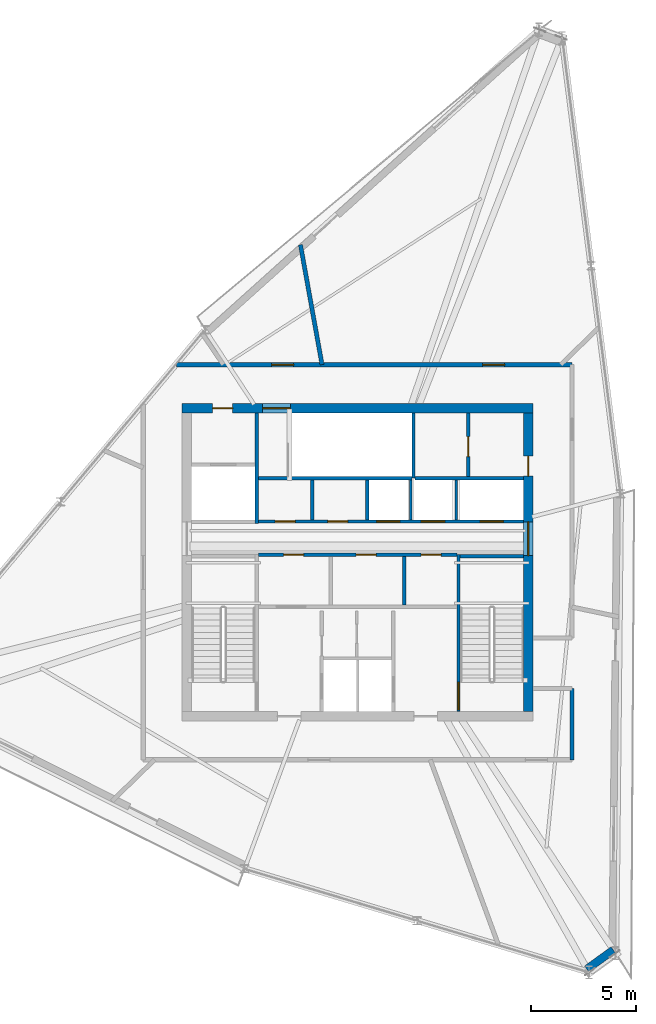
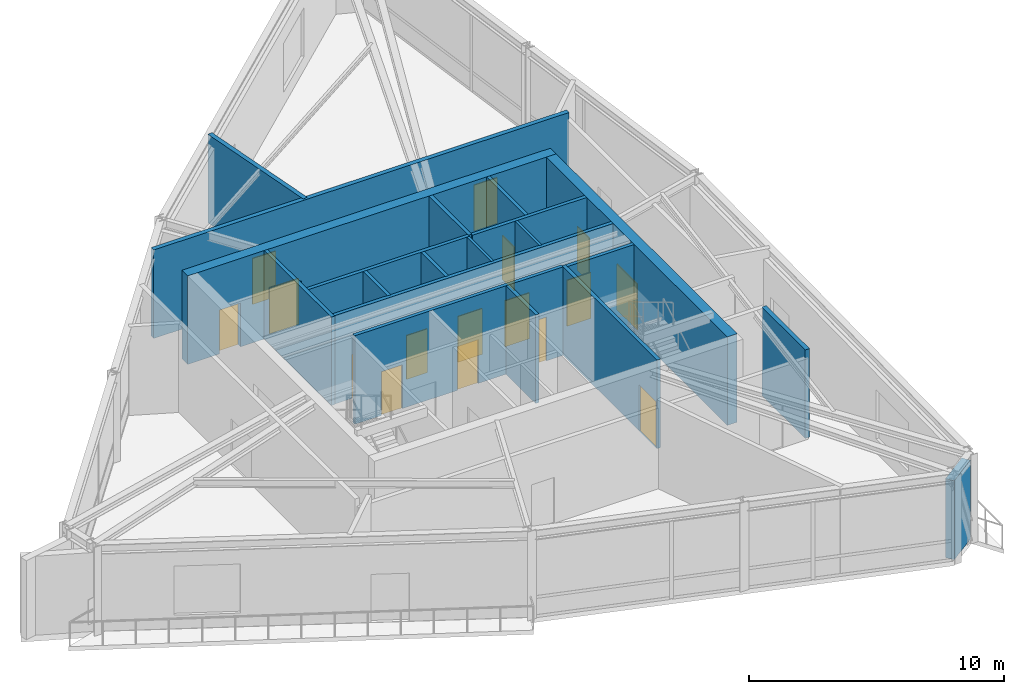
# One storey, part 19 of 23: 20 walls, 16 doors, 16 openings.
"""IFC4 building model written with IfcOpenShell, lengths in metres."""

from ifc_helpers import new_model, si_unit, direction, frame, frame_2d, origin, place, context, subcontext, project, spatial, rectangle, extrude, source, transform, mapped, material, layer, layer_set, type_object, type_shapes, element, fill, save


model = new_model("IFC4")

# Units and contexts
model_context = context("Model", 3, precision=1e-05, world=origin(), true_north=direction((0.0, 1.0)))
body_context = subcontext(model_context, "Body", "Model", "MODEL_VIEW")
ifc_project = project(units=[si_unit("LENGTHUNIT", "METRE"), si_unit("AREAUNIT", "SQUARE_METRE"), si_unit("VOLUMEUNIT", "CUBIC_METRE"), si_unit("PLANEANGLEUNIT", "RADIAN"), si_unit("MASSUNIT", "GRAM", prefix="KILO")], contexts=[model_context])

# Site, building, storey
site_placement = place(None, origin())
site = spatial("IfcSite", under=ifc_project, at=site_placement, CompositionType="ELEMENT")
building_placement = place(site_placement, origin())
building = spatial("IfcBuilding", under=site, at=building_placement, Name="Olszyna Solenne Hotel", CompositionType="ELEMENT")
storey_placement = place(building_placement, frame((0.0, 0.0, 290.5)))
storey = spatial("IfcBuildingStorey", under=building, at=storey_placement, Name="L77", CompositionType="ELEMENT", Elevation=290.5)

# Wall, openings, doors
ifc_material_1 = material(Name="Concrete C50/60", Category="concrete")
ifc_layer_1 = layer(ifc_material_1, 0.449951171875, Name="Concrete C50/60")
ifc_layer_set_1 = layer_set([ifc_layer_1], Name="Concrete C50/60")
wall_type_1 = type_object("IfcWallType", Name="WL-CR450", PredefinedType="SHEAR", material=ifc_layer_set_1)
wall_1_placement = place(storey_placement, frame((29.64990234375, 33.925048828125, 0.0), z_axis=(0.0, 0.0, 1.0), x_axis=(1.0, 0.0, 0.0)))
wall_1 = element("IfcWall", 1, at=wall_1_placement, inside=storey, type_object=wall_type_1, Name="Core shear wall WL-CR450 CRW-L77-N", PredefinedType="SHEAR", context=body_context, shape_type="SweptSolid", body=[
    extrude(rectangle(XDim=16.7001953125, YDim=0.449951171875, at=frame_2d((8.35009765625, 0.0))), origin(), (0.0, 0.0, 1.0), 4.239990234375),
])
opening_1_placement = place(wall_1_placement, frame((1.449951171875, 0.0, 0.0)))
opening_1 = element("IfcOpeningElement", 2, at=opening_1_placement, cuts=wall_1, Name="Opening SVD-L77-01", PredefinedType="OPENING", context=body_context, shape_type="SweptSolid", body=[
    extrude(rectangle(XDim=0.949951171875, YDim=2.10009765625, at=frame_2d((0.47509765625, 1.050048828125))), frame((0.0, 0.23486328125, 0.0), z_axis=(0.0, -1.0, 0.0), x_axis=(1.0, 0.0, 0.0)), (0.0, 0.0, 1.0), 0.469970703125),
])
opening_2_placement = place(wall_1_placement, frame((3.830078125, 0.0, 0.0)))
opening_2 = element("IfcOpeningElement", 3, at=opening_2_placement, cuts=wall_1, Name="Opening STD-L77-03", PredefinedType="OPENING", context=body_context, shape_type="SweptSolid", body=[
    extrude(rectangle(XDim=1.320068359375, YDim=2.199951171875, at=frame_2d((0.66015625, 1.10009765625))), frame((0.0, 0.23486328125, 0.0), z_axis=(0.0, -1.0, 0.0), x_axis=(1.0, 0.0, 0.0)), (0.0, 0.0, 1.0), 0.469970703125),
])
ifc_material_2 = material(Name="Steel S355J2", Category="steel")
door_type_1 = type_object("IfcDoorType", Name="DR-ST1", OperationType="NOTDEFINED", PredefinedType="DOOR", material=ifc_material_2)
shared_shape_1 = source(origin(), body_context, "Body", "SweptSolid", [
    extrude(rectangle(XDim=1.320068359375, YDim=2.199951171875, at=frame_2d((0.66015625, 1.10009765625))), frame((0.0, 0.02490234375, 0.0), z_axis=(0.0, -1.0, 0.0), x_axis=(1.0, 0.0, 0.0)), (0.0, 0.0, 1.0), 0.050048828125),
])
type_shapes(door_type_1, [shared_shape_1])
door_1_placement = place(opening_2_placement, origin())
door_1 = element("IfcDoor", 4, at=door_1_placement, inside=storey, type_object=door_type_1, Name="Pressurised exit stair ST3 fire door STD-L77-03", OperationType="SINGLE_SWING_RIGHT", OverallHeight=2.199951171875, OverallWidth=1.320068359375, PredefinedType="DOOR", context=body_context, shape_type="MappedRepresentation", body=[
    mapped(shared_shape_1, transform((0.0, 0.0, 0.0), x_axis=(1.0, 0.0, 0.0), y_axis=(0.0, 1.0, 0.0), z_axis=(0.0, 0.0, 1.0), scale=1.0)),
])
fill(opening_2, door_1)
door_type_2 = type_object("IfcDoorType", Name="DR-SV1", OperationType="NOTDEFINED", PredefinedType="DOOR", material=ifc_material_2)
shared_shape_2 = source(origin(), body_context, "Body", "SweptSolid", [
    extrude(rectangle(XDim=0.949951171875, YDim=2.10009765625, at=frame_2d((0.47509765625, 1.050048828125))), frame((0.0, 0.02490234375, 0.0), z_axis=(0.0, -1.0, 0.0), x_axis=(1.0, 0.0, 0.0)), (0.0, 0.0, 1.0), 0.050048828125),
])
type_shapes(door_type_2, [shared_shape_2])
door_2_placement = place(opening_1_placement, origin())
door_2 = element("IfcDoor", 5, at=door_2_placement, inside=storey, type_object=door_type_2, Name="Service lift lobby fire door SVD-L77-01", OperationType="SINGLE_SWING_LEFT", OverallHeight=2.10009765625, OverallWidth=0.949951171875, PredefinedType="DOOR", context=body_context, shape_type="MappedRepresentation", body=[
    mapped(shared_shape_2, transform((0.0, 0.0, 0.0), x_axis=(1.0, 0.0, 0.0), y_axis=(0.0, 1.0, 0.0), z_axis=(0.0, 0.0, 1.0), scale=1.0)),
])
fill(opening_1, door_2)

wall_2_placement = place(storey_placement, frame((46.125, 33.699951171875, 0.0), z_axis=(0.0, 0.0, 1.0), x_axis=(0.0, -1.0, 0.0)))
wall_2 = element("IfcWall", 6, at=wall_2_placement, inside=storey, type_object=wall_type_1, Name="Core shear wall WL-CR450 CRW-L77-E", PredefinedType="SHEAR", context=body_context, shape_type="SweptSolid", body=[
    extrude(rectangle(XDim=14.199951171875, YDim=0.449951171875, at=frame_2d((7.10009765625, 0.0))), origin(), (0.0, 0.0, 1.0), 4.239990234375),
])
opening_3_placement = place(wall_2_placement, frame((5.179931640625, 0.0, 0.0)))
opening_3 = element("IfcOpeningElement", 7, at=opening_3_placement, cuts=wall_2, Name="Opening LHD-L77-E", PredefinedType="OPENING", context=body_context, shape_type="SweptSolid", body=[
    extrude(rectangle(XDim=1.60009765625, YDim=2.199951171875, at=frame_2d((0.800048828125, 1.10009765625))), frame((0.0, 0.23486328125, 0.0), z_axis=(0.0, -1.0, 0.0), x_axis=(1.0, 0.0, 0.0)), (0.0, 0.0, 1.0), 0.469970703125),
])
opening_4_placement = place(wall_2_placement, frame((2.050048828125, 0.0, 0.0)))
opening_4 = element("IfcOpeningElement", 8, at=opening_4_placement, cuts=wall_2, Name="Opening SVD-L77-BE", PredefinedType="OPENING", context=body_context, shape_type="SweptSolid", body=[
    extrude(rectangle(XDim=0.949951171875, YDim=2.10009765625, at=frame_2d((0.47509765625, 1.050048828125))), frame((0.0, 0.23486328125, 0.0), z_axis=(0.0, -1.0, 0.0), x_axis=(1.0, 0.0, 0.0)), (0.0, 0.0, 1.0), 0.469970703125),
])
door_3_placement = place(opening_4_placement, origin())
door_3 = element("IfcDoor", 9, at=door_3_placement, inside=storey, type_object=door_type_2, Name="Housekeeping core fire door SVD-L77-BE", OperationType="SINGLE_SWING_RIGHT", OverallHeight=2.10009765625, OverallWidth=0.949951171875, PredefinedType="DOOR", context=body_context, shape_type="MappedRepresentation", body=[
    mapped(shared_shape_2, transform((0.0, 0.0, 0.0), x_axis=(1.0, 0.0, 0.0), y_axis=(0.0, 1.0, 0.0), z_axis=(0.0, 0.0, 1.0), scale=1.0)),
])
fill(opening_4, door_3)
ifc_material_3 = material(Name="Timber hardwood", Category="wood")
door_type_3 = type_object("IfcDoorType", Name="DR-CR1", OperationType="DOUBLE_DOOR_SINGLE_SWING", PredefinedType="DOOR", material=ifc_material_3)
shared_shape_3 = source(origin(), body_context, "Body", "SweptSolid", [
    extrude(rectangle(XDim=1.60009765625, YDim=2.199951171875, at=frame_2d((0.800048828125, 1.10009765625))), frame((0.0, 0.02490234375, 0.0), z_axis=(0.0, -1.0, 0.0), x_axis=(1.0, 0.0, 0.0)), (0.0, 0.0, 1.0), 0.050048828125),
])
type_shapes(door_type_3, [shared_shape_3])
door_4_placement = place(opening_3_placement, origin())
door_4 = element("IfcDoor", 10, at=door_4_placement, inside=storey, type_object=door_type_3, Name="Passenger lift lobby East fire door LHD-L77-E", OperationType="DOUBLE_DOOR_SINGLE_SWING", OverallHeight=2.199951171875, OverallWidth=1.60009765625, PredefinedType="DOOR", context=body_context, shape_type="MappedRepresentation", body=[
    mapped(shared_shape_3, transform((0.0, 0.0, 0.0), x_axis=(1.0, 0.0, 0.0), y_axis=(0.0, 1.0, 0.0), z_axis=(0.0, 0.0, 1.0), scale=1.0)),
])
fill(opening_3, door_4)

# Walls
ifc_material_4 = material(Name="Terracotta cladding on precast concrete C45/55", Category="masonry")
ifc_layer_2 = layer(ifc_material_4, 0.3798828125, Name="Terracotta cladding on precast concrete C45/55")
ifc_layer_set_2 = layer_set([ifc_layer_2], Name="Terracotta cladding on precast concrete C45/55")
wall_type_2 = type_object("IfcWallType", Name="WL-EX380", PredefinedType="SOLIDWALL", material=ifc_layer_set_2)
wall_3_placement = place(storey_placement, frame((50.167724609375, 8.151123046875, 0.0), z_axis=(0.0, 0.0, 1.0), x_axis=(-0.811063846967, -0.584957636195, 0.0)))
element("IfcWall", 11, at=wall_3_placement, inside=storey, type_object=wall_type_2, Name="Exterior terracotta-precast frame wall WL-EX380 EW-L77-02", PredefinedType="SOLIDWALL", context=body_context, shape_type="SweptSolid", body=[
    extrude(rectangle(XDim=1.555908203125, YDim=0.3798828125, at=frame_2d((0.77783203125, 0.0))), origin(), (0.0, 0.0, 1.0), 3.781982421875),
])
ifc_material_5 = material(Name="Acoustic gypsum partition", Category="gypsum")
ifc_layer_3 = layer(ifc_material_5, 0.125, Name="Acoustic gypsum partition")
ifc_layer_set_3 = layer_set([ifc_layer_3], Name="Acoustic gypsum partition")
wall_type_3 = type_object("IfcWallType", Name="WL-PT125", PredefinedType="PARTITIONING", material=ifc_layer_set_3)
for number, where, z_axis, x_axis, name in (
    (12, (40.52490234375, 28.60009765625, 0.0), (0.0, 0.0, 1.0), (0.0, 1.0, 0.0), "Core shaft compartment wall CW-L77-DIVEX405"),
    (13, (42.699951171875, 28.60009765625, 0.0), (0.0, 0.0, 1.0), (0.0, 1.0, 0.0), "Core shaft compartment wall CW-L77-DIVEX427"),
):
    element("IfcWall", number, at=place(storey_placement, frame(where, z_axis=z_axis, x_axis=x_axis)), inside=storey, type_object=wall_type_3, Name=name, PredefinedType="PARTITIONING", context=body_context, shape_type="SweptSolid", body=[
        extrude(rectangle(XDim=1.919921875, YDim=0.125, at=frame_2d((0.9599609375, 0.0))), origin(), (0.0, 0.0, 1.0), 4.239990234375),
    ])

# Wall, opening, door
ifc_layer_4 = layer(ifc_material_5, 0.159912109375, Name="Acoustic gypsum partition")
ifc_layer_set_4 = layer_set([ifc_layer_4], Name="Acoustic gypsum partition")
wall_type_4 = type_object("IfcWallType", Name="WL-PT160", PredefinedType="PARTITIONING", material=ifc_layer_set_4)
wall_4_placement = place(storey_placement, frame((42.800048828125, 26.9599609375, 0.0), z_axis=(0.0, 0.0, 1.0), x_axis=(0.0, -1.0, 0.0)))
wall_4 = element("IfcWall", 14, at=wall_4_placement, inside=storey, type_object=wall_type_4, Name="Core shaft compartment wall CW-L77-ST2W", PredefinedType="PARTITIONING", context=body_context, shape_type="SweptSolid", body=[
    extrude(rectangle(XDim=7.4599609375, YDim=0.159912109375, at=frame_2d((3.72998046875, 0.0))), origin(), (0.0, 0.0, 1.0), 4.239990234375),
])
opening_5_placement = place(wall_4_placement, frame((6.06005859375, 0.0, 0.0)))
opening_5 = element("IfcOpeningElement", 15, at=opening_5_placement, cuts=wall_4, Name="Opening STD-L77-02", PredefinedType="OPENING", context=body_context, shape_type="SweptSolid", body=[
    extrude(rectangle(XDim=1.320068359375, YDim=2.199951171875, at=frame_2d((0.66015625, 1.10009765625))), frame((0.0, 0.08984375, 0.0), z_axis=(0.0, -1.0, 0.0), x_axis=(1.0, 0.0, 0.0)), (0.0, 0.0, 1.0), 0.179931640625),
])
door_5_placement = place(opening_5_placement, origin())
door_5 = element("IfcDoor", 16, at=door_5_placement, inside=storey, type_object=door_type_1, Name="Pressurised exit stair ST2 fire door STD-L77-02", OperationType="SINGLE_SWING_RIGHT", OverallHeight=2.199951171875, OverallWidth=1.320068359375, PredefinedType="DOOR", context=body_context, shape_type="MappedRepresentation", body=[
    mapped(shared_shape_1, transform((0.0, 0.0, 0.0), x_axis=(1.0, 0.0, 0.0), y_axis=(0.0, 1.0, 0.0), z_axis=(0.0, 0.0, 1.0), scale=1.0)),
])
fill(opening_5, door_5)

# Walls
wall_5_placement = place(storey_placement, frame((42.8798828125, 26.8798828125, 0.0), z_axis=(0.0, 0.0, 1.0), x_axis=(1.0, 0.0, 0.0)))
element("IfcWall", 17, at=wall_5_placement, inside=storey, type_object=wall_type_4, Name="Core shaft compartment wall CW-L77-ST2N", PredefinedType="PARTITIONING", context=body_context, shape_type="SweptSolid", body=[
    extrude(rectangle(XDim=3.02001953125, YDim=0.159912109375, at=frame_2d((1.510009765625, 0.0))), origin(), (0.0, 0.0, 1.0), 4.239990234375),
])
wall_6_placement = place(storey_placement, frame((33.280029296875, 30.60009765625, 0.0), z_axis=(0.0, 0.0, 1.0), x_axis=(1.0, 0.0, 0.0)))
element("IfcWall", 18, at=wall_6_placement, inside=storey, type_object=wall_type_4, Name="Core shaft compartment wall CW-L77-ST3S", PredefinedType="PARTITIONING", context=body_context, shape_type="SweptSolid", body=[
    extrude(rectangle(XDim=7.300048828125, YDim=0.159912109375, at=frame_2d((3.64990234375, 0.0))), origin(), (0.0, 0.0, 1.0), 4.239990234375),
])
wall_7_placement = place(storey_placement, frame((40.659912109375, 30.60009765625, 0.0), z_axis=(0.0, 0.0, 1.0), x_axis=(0.0, 1.0, 0.0)))
element("IfcWall", 19, at=wall_7_placement, inside=storey, type_object=wall_type_4, Name="Core shaft compartment wall CW-L77-ST3E", PredefinedType="PARTITIONING", context=body_context, shape_type="SweptSolid", body=[
    extrude(rectangle(XDim=3.099853515625, YDim=0.159912109375, at=frame_2d((1.5498046875, 0.0))), origin(), (0.0, 0.0, 1.0), 4.239990234375),
])
wall_8_placement = place(storey_placement, frame((33.199951171875, 28.43994140625, 0.0), z_axis=(0.0, 0.0, 1.0), x_axis=(0.0, 1.0, 0.0)))
element("IfcWall", 20, at=wall_8_placement, inside=storey, type_object=wall_type_4, Name="Core shaft compartment wall CW-L77-SV1E", PredefinedType="PARTITIONING", context=body_context, shape_type="SweptSolid", body=[
    extrude(rectangle(XDim=5.260009765625, YDim=0.159912109375, at=frame_2d((2.6298828125, 0.0))), origin(), (0.0, 0.0, 1.0), 4.239990234375),
])

# Wall, openings, doors
wall_9_placement = place(storey_placement, frame((33.280029296875, 26.949951171875, 0.0), z_axis=(0.0, 0.0, 1.0), x_axis=(1.0, 0.0, 0.0)))
wall_9 = element("IfcWall", 21, at=wall_9_placement, inside=storey, type_object=wall_type_4, Name="Core shaft compartment wall CW-L77-LRS", PredefinedType="PARTITIONING", context=body_context, shape_type="SweptSolid", body=[
    extrude(rectangle(XDim=9.43994140625, YDim=0.159912109375, at=frame_2d((4.719970703125, 0.0))), origin(), (0.0, 0.0, 1.0), 4.239990234375),
])
opening_6_placement = place(wall_9_placement, frame((1.199951171875, 0.0, 0.0)))
opening_6 = element("IfcOpeningElement", 22, at=opening_6_placement, cuts=wall_9, Name="Opening SVD-L77-L71", PredefinedType="OPENING", context=body_context, shape_type="SweptSolid", body=[
    extrude(rectangle(XDim=0.949951171875, YDim=2.10009765625, at=frame_2d((0.47509765625, 1.050048828125))), frame((0.0, 0.08984375, 0.0), z_axis=(0.0, -1.0, 0.0), x_axis=(1.0, 0.0, 0.0)), (0.0, 0.0, 1.0), 0.179931640625),
])
opening_7_placement = place(wall_9_placement, frame((4.64990234375, 0.0, 0.0)))
opening_7 = element("IfcOpeningElement", 23, at=opening_7_placement, cuts=wall_9, Name="Opening SVD-L77-L72", PredefinedType="OPENING", context=body_context, shape_type="SweptSolid", body=[
    extrude(rectangle(XDim=0.949951171875, YDim=2.10009765625, at=frame_2d((0.47509765625, 1.050048828125))), frame((0.0, 0.08984375, 0.0), z_axis=(0.0, -1.0, 0.0), x_axis=(1.0, 0.0, 0.0)), (0.0, 0.0, 1.0), 0.179931640625),
])
opening_8_placement = place(wall_9_placement, frame((7.7451171875, 0.0, 0.0)))
opening_8 = element("IfcOpeningElement", 24, at=opening_8_placement, cuts=wall_9, Name="Opening SVD-L77-L73", PredefinedType="OPENING", context=body_context, shape_type="SweptSolid", body=[
    extrude(rectangle(XDim=0.949951171875, YDim=2.10009765625, at=frame_2d((0.47509765625, 1.050048828125))), frame((0.0, 0.08984375, 0.0), z_axis=(0.0, -1.0, 0.0), x_axis=(1.0, 0.0, 0.0)), (0.0, 0.0, 1.0), 0.179931640625),
])
door_6_placement = place(opening_6_placement, origin())
door_6 = element("IfcDoor", 25, at=door_6_placement, inside=storey, type_object=door_type_2, Name="Recaptured core room fire door SVD-L77-L71", OperationType="SINGLE_SWING_LEFT", OverallHeight=2.10009765625, OverallWidth=0.949951171875, PredefinedType="DOOR", context=body_context, shape_type="MappedRepresentation", body=[
    mapped(shared_shape_2, transform((0.0, 0.0, 0.0), x_axis=(1.0, 0.0, 0.0), y_axis=(0.0, 1.0, 0.0), z_axis=(0.0, 0.0, 1.0), scale=1.0)),
])
fill(opening_6, door_6)
door_7_placement = place(opening_7_placement, origin())
door_7 = element("IfcDoor", 26, at=door_7_placement, inside=storey, type_object=door_type_2, Name="Recaptured core room fire door SVD-L77-L72", OperationType="SINGLE_SWING_RIGHT", OverallHeight=2.10009765625, OverallWidth=0.949951171875, PredefinedType="DOOR", context=body_context, shape_type="MappedRepresentation", body=[
    mapped(shared_shape_2, transform((0.0, 0.0, 0.0), x_axis=(1.0, 0.0, 0.0), y_axis=(0.0, 1.0, 0.0), z_axis=(0.0, 0.0, 1.0), scale=1.0)),
])
fill(opening_7, door_7)
door_8_placement = place(opening_8_placement, origin())
door_8 = element("IfcDoor", 27, at=door_8_placement, inside=storey, type_object=door_type_2, Name="Observation AV room fire door SVD-L77-L73", OperationType="SINGLE_SWING_RIGHT", OverallHeight=2.10009765625, OverallWidth=0.949951171875, PredefinedType="DOOR", context=body_context, shape_type="MappedRepresentation", body=[
    mapped(shared_shape_2, transform((0.0, 0.0, 0.0), x_axis=(1.0, 0.0, 0.0), y_axis=(0.0, 1.0, 0.0), z_axis=(0.0, 0.0, 1.0), scale=1.0)),
])
fill(opening_8, door_8)

# Wall
wall_10_placement = place(storey_placement, frame((40.215087890625, 24.56005859375, 0.0), z_axis=(0.0, 0.0, 1.0), x_axis=(0.0, 1.0, 0.0)))
element("IfcWall", 28, at=wall_10_placement, inside=storey, type_object=wall_type_4, Name="Core shaft compartment wall CW-L77-LV7DIV2", PredefinedType="PARTITIONING", context=body_context, shape_type="SweptSolid", body=[
    extrude(rectangle(XDim=2.31005859375, YDim=0.159912109375, at=frame_2d((1.155029296875, 0.0))), origin(), (0.0, 0.0, 1.0), 4.239990234375),
])

# Wall, openings, doors
wall_11_placement = place(storey_placement, frame((33.280029296875, 28.5400390625, 0.0), z_axis=(0.0, 0.0, 1.0), x_axis=(1.0, 0.0, 0.0)))
wall_11 = element("IfcWall", 29, at=wall_11_placement, inside=storey, type_object=wall_type_4, Name="Core shaft compartment wall CW-L77-LRN", PredefinedType="PARTITIONING", context=body_context, shape_type="SweptSolid", body=[
    extrude(rectangle(XDim=12.619873046875, YDim=0.159912109375, at=frame_2d((6.31005859375, 0.0))), origin(), (0.0, 0.0, 1.0), 4.239990234375),
])
opening_9_placement = place(wall_11_placement, frame((0.800048828125, 0.0, 0.0)))
opening_9 = element("IfcOpeningElement", 30, at=opening_9_placement, cuts=wall_11, Name="Opening SVD-L77-L74", PredefinedType="OPENING", context=body_context, shape_type="SweptSolid", body=[
    extrude(rectangle(XDim=0.949951171875, YDim=2.10009765625, at=frame_2d((0.47509765625, 1.050048828125))), frame((0.0, 0.08984375, 0.0), z_axis=(0.0, -1.0, 0.0), x_axis=(1.0, 0.0, 0.0)), (0.0, 0.0, 1.0), 0.179931640625),
])
opening_10_placement = place(wall_11_placement, frame((3.300048828125, 0.0, 0.0)))
opening_10 = element("IfcOpeningElement", 31, at=opening_10_placement, cuts=wall_11, Name="Opening SVD-L77-L75", PredefinedType="OPENING", context=body_context, shape_type="SweptSolid", body=[
    extrude(rectangle(XDim=0.949951171875, YDim=2.10009765625, at=frame_2d((0.47509765625, 1.050048828125))), frame((0.0, 0.08984375, 0.0), z_axis=(0.0, -1.0, 0.0), x_axis=(1.0, 0.0, 0.0)), (0.0, 0.0, 1.0), 0.179931640625),
])
opening_11_placement = place(wall_11_placement, frame((5.6298828125, 0.0, 0.0)))
opening_11 = element("IfcOpeningElement", 32, at=opening_11_placement, cuts=wall_11, Name="Opening LD-L77-EX1", PredefinedType="OPENING", context=body_context, shape_type="SweptSolid", body=[
    extrude(rectangle(XDim=1.10009765625, YDim=2.199951171875, at=frame_2d((0.550048828125, 1.10009765625))), frame((0.0, 0.08984375, 0.0), z_axis=(0.0, -1.0, 0.0), x_axis=(1.0, 0.0, 0.0)), (0.0, 0.0, 1.0), 0.179931640625),
])
opening_12_placement = place(wall_11_placement, frame((7.760009765625, 0.0, 0.0)))
opening_12 = element("IfcOpeningElement", 33, at=opening_12_placement, cuts=wall_11, Name="Opening LD-L77-EX2", PredefinedType="OPENING", context=body_context, shape_type="SweptSolid", body=[
    extrude(rectangle(XDim=1.10009765625, YDim=2.199951171875, at=frame_2d((0.550048828125, 1.10009765625))), frame((0.0, 0.08984375, 0.0), z_axis=(0.0, -1.0, 0.0), x_axis=(1.0, 0.0, 0.0)), (0.0, 0.0, 1.0), 0.179931640625),
])
opening_13_placement = place(wall_11_placement, frame((10.56005859375, 0.0, 0.0)))
opening_13 = element("IfcOpeningElement", 34, at=opening_13_placement, cuts=wall_11, Name="Opening LD-L77-EX3", PredefinedType="OPENING", context=body_context, shape_type="SweptSolid", body=[
    extrude(rectangle(XDim=1.10009765625, YDim=2.199951171875, at=frame_2d((0.550048828125, 1.10009765625))), frame((0.0, 0.08984375, 0.0), z_axis=(0.0, -1.0, 0.0), x_axis=(1.0, 0.0, 0.0)), (0.0, 0.0, 1.0), 0.179931640625),
])
door_9_placement = place(opening_9_placement, origin())
door_9 = element("IfcDoor", 35, at=door_9_placement, inside=storey, type_object=door_type_2, Name="Observation service room fire door SVD-L77-L74", OperationType="SINGLE_SWING_LEFT", OverallHeight=2.10009765625, OverallWidth=0.949951171875, PredefinedType="DOOR", context=body_context, shape_type="MappedRepresentation", body=[
    mapped(shared_shape_2, transform((0.0, 0.0, 0.0), x_axis=(1.0, 0.0, 0.0), y_axis=(0.0, 1.0, 0.0), z_axis=(0.0, 0.0, 1.0), scale=1.0)),
])
fill(opening_9, door_9)
door_10_placement = place(opening_10_placement, origin())
door_10 = element("IfcDoor", 36, at=door_10_placement, inside=storey, type_object=door_type_2, Name="Observation service room fire door SVD-L77-L75", OperationType="SINGLE_SWING_LEFT", OverallHeight=2.10009765625, OverallWidth=0.949951171875, PredefinedType="DOOR", context=body_context, shape_type="MappedRepresentation", body=[
    mapped(shared_shape_2, transform((0.0, 0.0, 0.0), x_axis=(1.0, 0.0, 0.0), y_axis=(0.0, 1.0, 0.0), z_axis=(0.0, 0.0, 1.0), scale=1.0)),
])
fill(opening_10, door_10)
door_type_4 = type_object("IfcDoorType", Name="LD-P1", OperationType="DOUBLE_DOOR_SLIDING", PredefinedType="DOOR", material=ifc_material_2)
shared_shape_4 = source(origin(), body_context, "Body", "SweptSolid", [
    extrude(rectangle(XDim=1.10009765625, YDim=2.199951171875, at=frame_2d((0.550048828125, 1.10009765625))), frame((0.0, 0.02490234375, 0.0), z_axis=(0.0, -1.0, 0.0), x_axis=(1.0, 0.0, 0.0)), (0.0, 0.0, 1.0), 0.050048828125),
])
type_shapes(door_type_4, [shared_shape_4])
door_11_placement = place(opening_11_placement, origin())
door_11 = element("IfcDoor", 37, at=door_11_placement, inside=storey, type_object=door_type_4, Name="Express lift EX1 sliding landing door LD-L77-EX1", OperationType="DOUBLE_DOOR_SLIDING", OverallHeight=2.199951171875, OverallWidth=1.10009765625, PredefinedType="DOOR", context=body_context, shape_type="MappedRepresentation", body=[
    mapped(shared_shape_4, transform((0.0, 0.0, 0.0), x_axis=(1.0, 0.0, 0.0), y_axis=(0.0, 1.0, 0.0), z_axis=(0.0, 0.0, 1.0), scale=1.0)),
])
fill(opening_11, door_11)
door_12_placement = place(opening_12_placement, origin())
door_12 = element("IfcDoor", 38, at=door_12_placement, inside=storey, type_object=door_type_4, Name="Express lift EX2 sliding landing door LD-L77-EX2", OperationType="DOUBLE_DOOR_SLIDING", OverallHeight=2.199951171875, OverallWidth=1.10009765625, PredefinedType="DOOR", context=body_context, shape_type="MappedRepresentation", body=[
    mapped(shared_shape_4, transform((0.0, 0.0, 0.0), x_axis=(1.0, 0.0, 0.0), y_axis=(0.0, 1.0, 0.0), z_axis=(0.0, 0.0, 1.0), scale=1.0)),
])
fill(opening_12, door_12)
door_13_placement = place(opening_13_placement, origin())
door_13 = element("IfcDoor", 39, at=door_13_placement, inside=storey, type_object=door_type_4, Name="Express lift EX3 sliding landing door LD-L77-EX3", OperationType="DOUBLE_DOOR_SLIDING", OverallHeight=2.199951171875, OverallWidth=1.10009765625, PredefinedType="DOOR", context=body_context, shape_type="MappedRepresentation", body=[
    mapped(shared_shape_4, transform((0.0, 0.0, 0.0), x_axis=(1.0, 0.0, 0.0), y_axis=(0.0, 1.0, 0.0), z_axis=(0.0, 0.0, 1.0), scale=1.0)),
])
fill(opening_13, door_13)

# Walls
wall_12_placement = place(storey_placement, frame((40.719970703125, 30.60009765625, 0.0), z_axis=(0.0, 0.0, 1.0), x_axis=(1.0, 0.0, 0.0)))
element("IfcWall", 40, at=wall_12_placement, inside=storey, type_object=wall_type_4, Name="Core shaft compartment wall CW-L77-LRNTOP", PredefinedType="PARTITIONING", context=body_context, shape_type="SweptSolid", body=[
    extrude(rectangle(XDim=5.179931640625, YDim=0.159912109375, at=frame_2d((2.58984375, 0.0))), origin(), (0.0, 0.0, 1.0), 4.239990234375),
])
for number, where, z_axis, x_axis, name in (
    (41, (35.840087890625, 28.60009765625, 0.0), (0.0, 0.0, 1.0), (0.0, 1.0, 0.0), "Core shaft compartment wall CW-L77-LV7NDIV1"),
    (42, (38.465087890625, 28.60009765625, 0.0), (0.0, 0.0, 1.0), (0.0, 1.0, 0.0), "Core shaft compartment wall CW-L77-LV7NDIV2"),
):
    element("IfcWall", number, at=place(storey_placement, frame(where, z_axis=z_axis, x_axis=x_axis)), inside=storey, type_object=wall_type_4, Name=name, PredefinedType="PARTITIONING", context=body_context, shape_type="SweptSolid", body=[
        extrude(rectangle(XDim=1.919921875, YDim=0.159912109375, at=frame_2d((0.9599609375, 0.0))), origin(), (0.0, 0.0, 1.0), 4.239990234375),
    ])

# Wall, opening, door
wall_13_placement = place(storey_placement, frame((43.27001953125, 30.679931640625, 0.0), z_axis=(0.0, 0.0, 1.0), x_axis=(0.0, 1.0, 0.0)))
wall_13 = element("IfcWall", 43, at=wall_13_placement, inside=storey, type_object=wall_type_4, Name="Core shaft compartment wall CW-L77-BOH1", PredefinedType="PARTITIONING", context=body_context, shape_type="SweptSolid", body=[
    extrude(rectangle(XDim=3.02001953125, YDim=0.159912109375, at=frame_2d((1.510009765625, 0.0))), origin(), (0.0, 0.0, 1.0), 4.239990234375),
])
opening_14_placement = place(wall_13_placement, frame((0.949951171875, 0.0, 0.0)))
opening_14 = element("IfcOpeningElement", 44, at=opening_14_placement, cuts=wall_13, Name="Opening SVD-L77-BI1", PredefinedType="OPENING", context=body_context, shape_type="SweptSolid", body=[
    extrude(rectangle(XDim=0.949951171875, YDim=2.10009765625, at=frame_2d((0.47509765625, 1.050048828125))), frame((0.0, 0.08984375, 0.0), z_axis=(0.0, -1.0, 0.0), x_axis=(1.0, 0.0, 0.0)), (0.0, 0.0, 1.0), 0.179931640625),
])
door_14_placement = place(opening_14_placement, origin())
door_14 = element("IfcDoor", 45, at=door_14_placement, inside=storey, type_object=door_type_2, Name="BOH inter-room fire door SVD-L77-BI1", OperationType="SINGLE_SWING_LEFT", OverallHeight=2.10009765625, OverallWidth=0.949951171875, PredefinedType="DOOR", context=body_context, shape_type="MappedRepresentation", body=[
    mapped(shared_shape_2, transform((0.0, 0.0, 0.0), x_axis=(1.0, 0.0, 0.0), y_axis=(0.0, 1.0, 0.0), z_axis=(0.0, 0.0, 1.0), scale=1.0)),
])
fill(opening_14, door_14)

# Wall
ifc_layer_5 = layer(ifc_material_5, 0.199951171875, Name="Acoustic gypsum partition")
ifc_layer_set_5 = layer_set([ifc_layer_5], Name="Acoustic gypsum partition")
wall_type_5 = type_object("IfcWallType", Name="WL-PT200", PredefinedType="PARTITIONING", material=ifc_layer_set_5)
wall_14_placement = place(storey_placement, frame((36.30859375, 36.0, 0.0), z_axis=(0.0, 0.0, 1.0), x_axis=(-0.177091823181, 0.984194333535, 0.0)))
element("IfcWall", 46, at=wall_14_placement, inside=storey, type_object=wall_type_5, Name="Interior acoustic partition WL-PT200 PW-L77-4188", PredefinedType="PARTITIONING", context=body_context, shape_type="SweptSolid", body=[
    extrude(rectangle(XDim=5.79833984375, YDim=0.199951171875, at=frame_2d((2.899169921875, 0.0))), origin(), (0.0, 0.0, 1.0), 4.239990234375),
])

# Wall, openings, doors
wall_15_placement = place(storey_placement, frame((29.37841796875, 36.0, 0.0), z_axis=(0.0, 0.0, 1.0), x_axis=(1.0, 0.0, 0.0)))
wall_15 = element("IfcWall", 47, at=wall_15_placement, inside=storey, type_object=wall_type_5, Name="Interior acoustic partition WL-PT200 PW-L77-4192", PredefinedType="PARTITIONING", context=body_context, shape_type="SweptSolid", body=[
    extrude(rectangle(XDim=18.821533203125, YDim=0.199951171875, at=frame_2d((9.41064453125, 0.0))), origin(), (0.0, 0.0, 1.0), 4.239990234375),
])
opening_15_placement = place(wall_15_placement, frame((14.56591796875, 0.0, 0.0)))
opening_15 = element("IfcOpeningElement", 48, at=opening_15_placement, cuts=wall_15, Name="Opening DR-L77-1012", PredefinedType="OPENING", context=body_context, shape_type="SweptSolid", body=[
    extrude(rectangle(XDim=1.050048828125, YDim=2.199951171875, at=frame_2d((0.52490234375, 1.10009765625))), frame((0.0, 0.10986328125, 0.0), z_axis=(0.0, -1.0, 0.0), x_axis=(1.0, 0.0, 0.0)), (0.0, 0.0, 1.0), 0.219970703125),
])
opening_16_placement = place(wall_15_placement, frame((4.529052734375, 0.0, 0.0)))
opening_16 = element("IfcOpeningElement", 49, at=opening_16_placement, cuts=wall_15, Name="Opening DR-L77-1013", PredefinedType="OPENING", context=body_context, shape_type="SweptSolid", body=[
    extrude(rectangle(XDim=1.050048828125, YDim=2.199951171875, at=frame_2d((0.52490234375, 1.10009765625))), frame((0.0, 0.10986328125, 0.0), z_axis=(0.0, -1.0, 0.0), x_axis=(1.0, 0.0, 0.0)), (0.0, 0.0, 1.0), 0.219970703125),
])
door_type_5 = type_object("IfcDoorType", Name="DR-RM2", OperationType="NOTDEFINED", PredefinedType="DOOR", material=ifc_material_3)
shared_shape_5 = source(origin(), body_context, "Body", "SweptSolid", [
    extrude(rectangle(XDim=1.050048828125, YDim=2.199951171875, at=frame_2d((0.52490234375, 1.10009765625))), frame((0.0, 0.02490234375, 0.0), z_axis=(0.0, -1.0, 0.0), x_axis=(1.0, 0.0, 0.0)), (0.0, 0.0, 1.0), 0.050048828125),
])
type_shapes(door_type_5, [shared_shape_5])
door_15_placement = place(opening_15_placement, origin())
door_15 = element("IfcDoor", 50, at=door_15_placement, inside=storey, type_object=door_type_5, Name="Observatory Audio-Visual Studio Entrance Door DR-L77-1012", OperationType="SINGLE_SWING_RIGHT", OverallHeight=2.199951171875, OverallWidth=1.050048828125, PredefinedType="DOOR", context=body_context, shape_type="MappedRepresentation", body=[
    mapped(shared_shape_5, transform((0.0, 0.0, 0.0), x_axis=(1.0, 0.0, 0.0), y_axis=(0.0, 1.0, 0.0), z_axis=(0.0, 0.0, 1.0), scale=1.0)),
])
fill(opening_15, door_15)
door_16_placement = place(opening_16_placement, origin())
door_16 = element("IfcDoor", 51, at=door_16_placement, inside=storey, type_object=door_type_5, Name="Sky Gift Boutique Entrance Door DR-L77-1013", OperationType="SINGLE_SWING_LEFT", OverallHeight=2.199951171875, OverallWidth=1.050048828125, PredefinedType="DOOR", context=body_context, shape_type="MappedRepresentation", body=[
    mapped(shared_shape_5, transform((0.0, 0.0, 0.0), x_axis=(1.0, 0.0, 0.0), y_axis=(0.0, 1.0, 0.0), z_axis=(0.0, 0.0, 1.0), scale=1.0)),
])
fill(opening_16, door_16)

# Wall
wall_16_placement = place(storey_placement, frame((48.199951171875, 17.199951171875, 0.0), z_axis=(0.0, 0.0, 1.0), x_axis=(0.0, 1.0, 0.0)))
element("IfcWall", 52, at=wall_16_placement, inside=storey, type_object=wall_type_5, Name="Interior acoustic partition WL-PT200 PW-L77-4193", PredefinedType="PARTITIONING", context=body_context, shape_type="SweptSolid", body=[
    extrude(rectangle(XDim=3.400146484375, YDim=0.199951171875, at=frame_2d((1.7001953125, 0.0))), origin(), (0.0, 0.0, 1.0), 4.239990234375),
])

save(model, "model.ifc")
